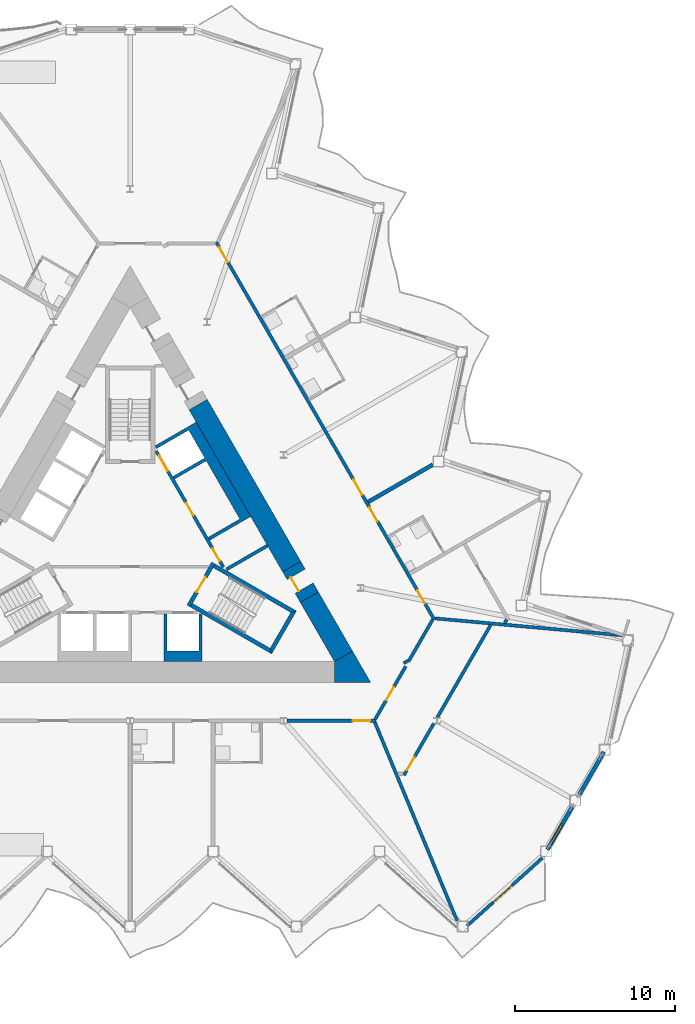
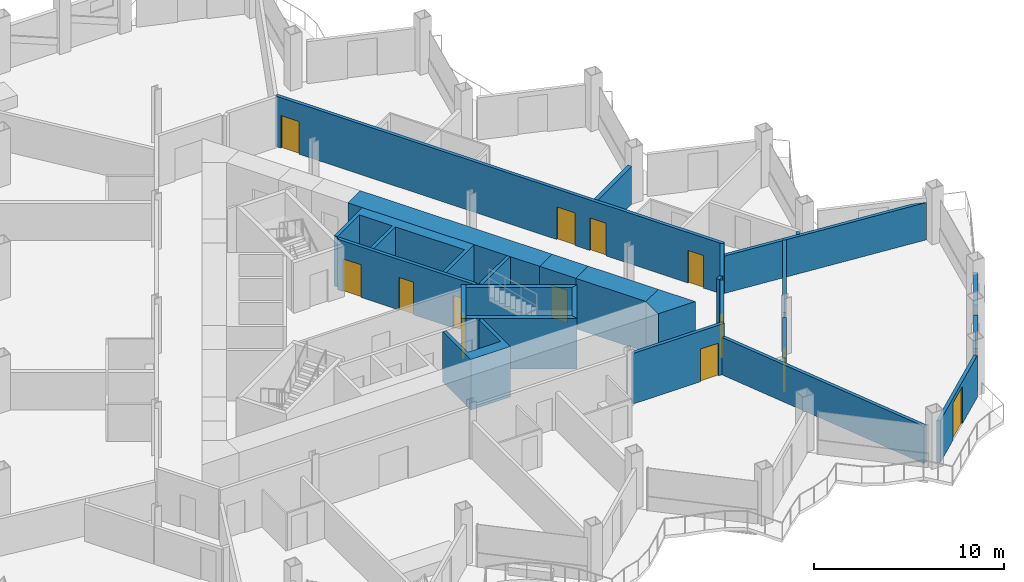
# One storey, part 13 of 23: 26 walls, 13 doors, 1 window, 14 openings.
"""IFC4 building model written with IfcOpenShell, lengths in metres."""

import ifcopenshell
import ifcopenshell.guid

model = None  # the IFC model being written
_history = None  # IfcOwnerHistory: only IFC2X3 demands one
_inside = {}  # id of a spatial element -> (the spatial element, [elements in it])
_under = {}  # id of a project, library or spatial element -> (it, [spatial elements below it])
_declared = {}  # id of a project -> (the project, [libraries it declares])
_typed = {}  # id of a type object -> (the type object, [elements of that type])
_made_of = {}  # id of a material, layer set ... -> (it, [elements and type objects made of it])


def new_model(schema):
    """Start an empty IFC model of exactly this schema.

    Asked for "IFC4X3", IfcOpenShell would pick the latest addendum, in which some entities
    have other attributes; the version numbers below select the first issue.
    IFC2X3 requires an IfcOwnerHistory on every rooted entity: one is made here for all.
    """
    global model, _history
    if schema == "IFC4X3":
        model = ifcopenshell.file(schema_version=(4, 3, 0, 0))
    else:
        model = ifcopenshell.file(schema=schema)
    _inside.clear()
    _under.clear()
    _declared.clear()
    _typed.clear()
    _made_of.clear()
    _history = None
    if model.schema == "IFC2X3":
        org = make("IfcOrganization", Name="unknown")
        user = make(
            "IfcPersonAndOrganization",
            ThePerson=make("IfcPerson", FamilyName="unknown"),
            TheOrganization=org,
        )
        app = make(
            "IfcApplication",
            ApplicationDeveloper=org,
            Version="unknown",
            ApplicationFullName="unknown",
            ApplicationIdentifier="unknown",
        )
        _history = make(
            "IfcOwnerHistory",
            OwningUser=user,
            OwningApplication=app,
            ChangeAction="ADDED",
            CreationDate=0,
        )
    return model


def make(cls, **values):
    """One entity of the class cls with the attributes given. An attribute that is None is left unset."""
    return model.create_entity(
        cls, **{name: value for name, value in values.items() if value is not None}
    )


def rooted(cls, **values):
    """An entity with a GlobalId (a new one), such as an element, a storey or a relation."""
    return make(cls, GlobalId=ifcopenshell.guid.new(), OwnerHistory=_history, **values)


def si_unit(unit_type, name, prefix=None):
    """IfcSIUnit, for example si_unit("LENGTHUNIT", "METRE", prefix="MILLI")."""
    return make("IfcSIUnit", UnitType=unit_type, Prefix=prefix, Name=name)


def assignment(units):
    """IfcUnitAssignment: the units of a project."""
    return None if units is None else make("IfcUnitAssignment", Units=units)


def point(xyz):
    """IfcCartesianPoint."""
    return None if xyz is None else make("IfcCartesianPoint", Coordinates=xyz)


def direction(xyz):
    """IfcDirection."""
    return None if xyz is None else make("IfcDirection", DirectionRatios=xyz)


def frame(location, z_axis=None, x_axis=None):
    """IfcAxis2Placement3D, a coordinate frame: its origin and axes. An axis left out is left unset."""
    return make(
        "IfcAxis2Placement3D",
        Location=point(location),
        Axis=direction(z_axis),
        RefDirection=direction(x_axis),
    )


def frame_2d(location, x_axis=None):
    """IfcAxis2Placement2D, a coordinate frame in the plane: its origin and x axis."""
    return make(
        "IfcAxis2Placement2D", Location=point(location), RefDirection=direction(x_axis)
    )


def origin():
    """The frame at (0, 0, 0) with its axes left unset."""
    return frame((0.0, 0.0, 0.0))


def place(relative_to, where):
    """IfcLocalPlacement: puts the frame where relative to a parent placement (None: the world)."""
    return make(
        "IfcLocalPlacement", PlacementRelTo=relative_to, RelativePlacement=where
    )


def context(
    kind, dimensions, precision=None, world=None, true_north=None, identifier=None
):
    """IfcGeometricRepresentationContext, for example the 3D "Model" context."""
    return make(
        "IfcGeometricRepresentationContext",
        ContextIdentifier=identifier,
        ContextType=kind,
        CoordinateSpaceDimension=dimensions,
        Precision=precision,
        WorldCoordinateSystem=world,
        TrueNorth=true_north,
    )


def subcontext(parent, identifier, kind, view, scale=None):
    """IfcGeometricRepresentationSubContext, for example "Body" below "Model"."""
    return make(
        "IfcGeometricRepresentationSubContext",
        ContextIdentifier=identifier,
        ContextType=kind,
        ParentContext=parent,
        TargetScale=scale,
        TargetView=view,
    )


def project(units=None, contexts=None):
    """IfcProject with its units and contexts."""
    return rooted(
        "IfcProject",
        Name="project",
        RepresentationContexts=contexts,
        UnitsInContext=assignment(units),
    )


def spatial(cls, under=None, at=None, **own):
    """A site, building, storey or space (cls), placed at a placement, below another one or the project."""
    s = rooted(cls, ObjectPlacement=at, **own)
    if under is not None:
        _under.setdefault(under.id(), (under, []))[1].append(s)
    return s


def polyline(points):
    """IfcPolyline through the points."""
    return make("IfcPolyline", Points=[point(p) for p in points])


def profile(cls, at=None, kind="AREA", **sizes):
    """A parametric profile (cls). Its sizes go by their IFC names, for example OverallWidth=200.0."""
    return make(cls, ProfileType=kind, Position=at, **sizes)


def rectangle(**sizes):
    """IfcRectangleProfileDef."""
    return profile("IfcRectangleProfileDef", **sizes)


def outline(outer, holes=None, kind="AREA"):
    """IfcArbitraryClosedProfileDef: a profile drawn as a closed curve; with holes, ...WithVoids."""
    if holes is None:
        return make("IfcArbitraryClosedProfileDef", ProfileType=kind, OuterCurve=outer)
    return make(
        "IfcArbitraryProfileDefWithVoids",
        ProfileType=kind,
        OuterCurve=outer,
        InnerCurves=holes,
    )


def extrude(swept, where, along, depth):
    """IfcExtrudedAreaSolid: the profile swept, set in the frame where, extruded along a direction by depth."""
    return make(
        "IfcExtrudedAreaSolid",
        SweptArea=swept,
        Position=where,
        ExtrudedDirection=direction(along),
        Depth=depth,
    )


def shape(context_of_items, identifier, shape_type, items):
    """IfcShapeRepresentation: the items that make up one representation, for example the "Body"."""
    return make(
        "IfcShapeRepresentation",
        ContextOfItems=context_of_items,
        RepresentationIdentifier=identifier,
        RepresentationType=shape_type,
        Items=items,
    )


def material(Name=None, Category=None):
    """IfcMaterial."""
    return make("IfcMaterial", Name=Name, Category=Category)


def layer(
    of_material, thickness, ventilated=None, Name=None, Category=None, Priority=None
):
    """IfcMaterialLayer: one layer of a wall or slab, of a material (None: an air gap)."""
    return make(
        "IfcMaterialLayer",
        Material=of_material,
        LayerThickness=thickness,
        IsVentilated=ventilated,
        Name=Name,
        Category=Category,
        Priority=Priority,
    )


def layer_set(layers, Name=None):
    """IfcMaterialLayerSet."""
    return make("IfcMaterialLayerSet", MaterialLayers=layers, LayerSetName=Name)


def made_of(thing, what):
    """Note that an element or type object is made of a material, layer set ...; save() writes the relation."""
    if what is not None:
        _made_of.setdefault(what.id(), (what, []))[1].append(thing)
    return thing


def type_object(cls, material=None, **own):
    """A type object (cls), such as IfcWallType, which elements share."""
    return made_of(rooted(cls, **own), material)


def element(
    cls,
    number,
    at=None,
    inside=None,
    cuts=None,
    type_object=None,
    material=None,
    context=None,
    identifier="Body",
    shape_type=None,
    held_by="IfcProductDefinitionShape",
    body=None,
    shapes=None,
    **own,
):
    """One element of the class cls, such as IfcWall. Its Tag is "e" and its number.

    at: its placement. inside: the storey or other place that contains it. cuts: it is an
    opening in that element (IfcRelVoidsElement). A single representation is given by context,
    identifier, shape_type and body (its items); several are given by shapes. held_by: the class
    of the entity that holds the representations. save() writes the other relations.
    """
    e = rooted(cls, Tag="e%d" % number, ObjectPlacement=at, **own)
    if body is not None:
        shapes = [shape(context, identifier, shape_type, body)]
    if shapes is not None:
        e.Representation = make(held_by, Representations=shapes)
    if inside is not None:
        _inside.setdefault(inside.id(), (inside, []))[1].append(e)
    if cuts is not None:
        rooted(
            "IfcRelVoidsElement", RelatingBuildingElement=cuts, RelatedOpeningElement=e
        )
    if type_object is not None:
        _typed.setdefault(type_object.id(), (type_object, []))[1].append(e)
    return made_of(e, material)


def fill(opening, filler):
    """IfcRelFillsElement: the door or window that sits in an opening."""
    return rooted(
        "IfcRelFillsElement",
        RelatingOpeningElement=opening,
        RelatedBuildingElement=filler,
    )


def aggregate(whole, parts):
    """IfcRelAggregates: a whole, such as a stair, and the parts it consists of."""
    return rooted("IfcRelAggregates", RelatingObject=whole, RelatedObjects=parts)


def save(model, path):
    """Write the relations noted so far, then the file.

    IfcRelAggregates (storeys below a building ...), IfcRelContainedInSpatialStructure (elements
    in a storey), IfcRelDefinesByType, IfcRelAssociatesMaterial and IfcRelDeclares: one each for
    every whole, place, type object, material and project.
    """
    for whole, parts in _under.values():
        aggregate(whole, parts)
    for where, things in _inside.values():
        rooted(
            "IfcRelContainedInSpatialStructure",
            RelatedElements=things,
            RelatingStructure=where,
        )
    for kind, things in _typed.values():
        rooted("IfcRelDefinesByType", RelatedObjects=things, RelatingType=kind)
    for what, things in _made_of.values():
        rooted("IfcRelAssociatesMaterial", RelatedObjects=things, RelatingMaterial=what)
    for by, libraries in _declared.values():
        rooted("IfcRelDeclares", RelatingContext=by, RelatedDefinitions=libraries)
    model.write(path)


model = new_model("IFC4")

# Units and contexts
model_context = context("Model", 3, precision=1e-05, world=origin(), true_north=direction((0.0, 1.0)))
body_context = subcontext(model_context, "Body", "Model", "MODEL_VIEW")
ifc_project = project(units=[si_unit("LENGTHUNIT", "METRE"), si_unit("AREAUNIT", "SQUARE_METRE"), si_unit("VOLUMEUNIT", "CUBIC_METRE"), si_unit("PLANEANGLEUNIT", "RADIAN"), si_unit("MASSUNIT", "GRAM", prefix="KILO")], contexts=[model_context])

# Site, building, storey
site_placement = place(None, origin())
site = spatial("IfcSite", under=ifc_project, at=site_placement, CompositionType="ELEMENT")
building_placement = place(site_placement, origin())
building = spatial("IfcBuilding", under=site, at=building_placement, Name="Cormorant Prow Tower", CompositionType="ELEMENT")
storey_placement = place(building_placement, frame((0.0, 0.0, 252.60009765625)))
storey = spatial("IfcBuildingStorey", under=building, at=storey_placement, Name="L56", CompositionType="ELEMENT", Elevation=252.60009765625)

# Walls
ifc_material_1 = material(Name="Concrete 8000 psi", Category="concrete")
ifc_layer_1 = layer(ifc_material_1, 1.300048828125)
ifc_layer_set_1 = layer_set([ifc_layer_1], Name="Concrete 8000 psi")
wall_type_1 = type_object("IfcWallType", Name="Core shear wall 1300", PredefinedType="SHEAR", material=ifc_layer_set_1)
wall_1_placement = place(storey_placement, frame((10.081298828125, -1.440673828125, 0.0), z_axis=(0.0, 0.0, 1.0), x_axis=(-0.500006109471, 0.866021876451, 0.0)))
element("IfcWall", 1, at=wall_1_placement, inside=storey, type_object=wall_type_1, Name="Core wall", PredefinedType="SHEAR", context=body_context, shape_type="SweptSolid", body=[
    extrude(rectangle(XDim=11.672119140625, YDim=1.300048828125, at=frame_2d((5.8359375, 0.0))), origin(), (0.0, 0.0, 1.0), 3.25),
])
wall_2_placement = place(storey_placement, frame((13.311279296875, -7.035400390625, 0.0), z_axis=(0.0, 0.0, 1.0), x_axis=(-0.500003555838, 0.866023350811, 0.0)))
element("IfcWall", 2, at=wall_2_placement, inside=storey, type_object=wall_type_1, Name="Core wall", PredefinedType="SHEAR", context=body_context, shape_type="SweptSolid", body=[
    extrude(rectangle(XDim=4.26025390625, YDim=1.300048828125, at=frame_2d((2.130126953125, 0.0))), origin(), (0.0, 0.0, 1.0), 3.25),
])
wall_3_placement = place(storey_placement, origin())
element("IfcWall", 3, at=wall_3_placement, inside=storey, type_object=wall_type_1, Name="Core wall corner", PredefinedType="SHEAR", context=body_context, shape_type="SweptSolid", body=[
    extrude(outline(polyline([(12.748291015625, -8.660400390625), (12.748291015625, -7.3603515625), (13.874267578125, -6.710205078125), (15.0, -8.660400390625), (12.748291015625, -8.660400390625)])), origin(), (0.0, 0.0, 1.0), 3.25),
])

# Wall, opening, door
wall_4_placement = place(storey_placement, frame((11.18115234375, -3.345947265625, 0.0), z_axis=(0.0, 0.0, 1.0), x_axis=(-0.499946605688, 0.86605622881, 0.0)))
wall_4 = element("IfcWall", 4, at=wall_4_placement, inside=storey, type_object=wall_type_1, Name="Core wall door panel", PredefinedType="SHEAR", context=body_context, shape_type="SweptSolid", body=[
    extrude(rectangle(XDim=2.199951171875, YDim=1.300048828125, at=frame_2d((1.10009765625, 0.0))), origin(), (0.0, 0.0, 1.0), 3.25),
])
opening_1_placement = place(wall_4_placement, frame((0.64990234375, 0.0, 0.0)))
opening_1 = element("IfcOpeningElement", 5, at=opening_1_placement, cuts=wall_4, Name="Opening L56-C15", PredefinedType="OPENING", context=body_context, shape_type="SweptSolid", body=[
    extrude(rectangle(XDim=1.0, YDim=2.10009765625, at=frame_2d((0.5, 1.050048828125))), frame((0.0, 0.659912109375, 0.0), z_axis=(0.0, -1.0, 0.0), x_axis=(1.0, 0.0, 0.0)), (0.0, 0.0, 1.0), 1.320068359375),
])
ifc_material_2 = material(Name="Painted steel", Category="steel")
door_type_1 = type_object("IfcDoorType", Name="Service door 1000x2100", OperationType="NOTDEFINED", PredefinedType="DOOR", material=ifc_material_2)
door_1_placement = place(opening_1_placement, origin())
door_1 = element("IfcDoor", 6, at=door_1_placement, inside=storey, type_object=door_type_1, Name="Core door, Telecom room", OperationType="SINGLE_SWING_LEFT", OverallHeight=2.10009765625, OverallWidth=1.0, PredefinedType="DOOR", context=body_context, shape_type="SweptSolid", body=[
    extrude(rectangle(XDim=1.0, YDim=2.10009765625, at=frame_2d((0.5, 1.050048828125))), frame((0.0, 0.40478515625, 0.0), z_axis=(0.0, -1.0, 0.0), x_axis=(1.0, 0.0, 0.0)), (0.0, 0.0, 1.0), 0.050048828125),
])
fill(opening_1, door_1)

# Wall, openings, doors
ifc_material_3 = material(Name="Gypsum board corridor wall")
ifc_layer_2 = layer(ifc_material_3, 0.199951171875)
ifc_layer_set_2 = layer_set([ifc_layer_2], Name="Gypsum board corridor wall")
wall_type_2 = type_object("IfcWallType", Name="Corridor wall 200", PredefinedType="PARTITIONING", material=ifc_layer_set_2)
wall_5_placement = place(storey_placement, frame((5.377197265625, 18.80712890625, 0.0), z_axis=(0.0, 0.0, 1.0), x_axis=(0.499999852422, -0.866025488988, 0.0)))
wall_5 = element("IfcWall", 7, at=wall_5_placement, inside=storey, type_object=wall_type_2, Name="Corridor wall", PredefinedType="PARTITIONING", context=body_context, shape_type="SweptSolid", body=[
    extrude(rectangle(XDim=27.19775390625, YDim=0.199951171875, at=frame_2d((13.598876953125, 0.0))), origin(), (0.0, 0.0, 1.0), 3.25),
])
opening_2_placement = place(wall_5_placement, frame((25.09619140625, 0.0, 0.0)))
opening_2 = element("IfcOpeningElement", 8, at=opening_2_placement, cuts=wall_5, Name="Opening L56-F10", PredefinedType="OPENING", context=body_context, shape_type="SweptSolid", body=[
    extrude(rectangle(XDim=0.949951171875, YDim=2.10009765625, at=frame_2d((0.47509765625, 1.050048828125))), frame((0.0, 0.10986328125, 0.0), z_axis=(0.0, -1.0, 0.0), x_axis=(1.0, 0.0, 0.0)), (0.0, 0.0, 1.0), 0.219970703125),
])
opening_3_placement = place(wall_5_placement, frame((19.121826171875, 0.0, 0.0)))
opening_3 = element("IfcOpeningElement", 9, at=opening_3_placement, cuts=wall_5, Name="Opening L56-F12", PredefinedType="OPENING", context=body_context, shape_type="SweptSolid", body=[
    extrude(rectangle(XDim=1.0, YDim=2.10009765625, at=frame_2d((0.5, 1.050048828125))), frame((0.0, 0.10986328125, 0.0), z_axis=(0.0, -1.0, 0.0), x_axis=(1.0, 0.0, 0.0)), (0.0, 0.0, 1.0), 0.219970703125),
])
opening_4_placement = place(wall_5_placement, frame((17.114501953125, 0.0, 0.0)))
opening_4 = element("IfcOpeningElement", 10, at=opening_4_placement, cuts=wall_5, Name="Opening L56-F14", PredefinedType="OPENING", context=body_context, shape_type="SweptSolid", body=[
    extrude(rectangle(XDim=1.10009765625, YDim=2.10009765625, at=frame_2d((0.550048828125, 1.050048828125))), frame((0.0, 0.10986328125, 0.0), z_axis=(0.0, -1.0, 0.0), x_axis=(1.0, 0.0, 0.0)), (0.0, 0.0, 1.0), 0.219970703125),
])
opening_5_placement = place(wall_5_placement, frame((0.350341796875, 0.0, 0.0)))
opening_5 = element("IfcOpeningElement", 11, at=opening_5_placement, cuts=wall_5, Name="Opening L56-F16", PredefinedType="OPENING", context=body_context, shape_type="SweptSolid", body=[
    extrude(rectangle(XDim=1.10009765625, YDim=2.10009765625, at=frame_2d((0.550048828125, 1.050048828125))), frame((0.0, 0.10986328125, 0.0), z_axis=(0.0, -1.0, 0.0), x_axis=(1.0, 0.0, 0.0)), (0.0, 0.0, 1.0), 0.219970703125),
])
ifc_material_4 = material(Name="Timber door leaf", Category="wood")
door_type_2 = type_object("IfcDoorType", Name="Flat or room entrance door 1000x2100", OperationType="NOTDEFINED", PredefinedType="DOOR", material=ifc_material_4)
door_2_placement = place(opening_3_placement, origin())
door_2 = element("IfcDoor", 12, at=door_2_placement, inside=storey, type_object=door_type_2, Name="Guest room door", OperationType="SINGLE_SWING_LEFT", OverallHeight=2.10009765625, OverallWidth=1.0, PredefinedType="DOOR", context=body_context, shape_type="SweptSolid", body=[
    extrude(rectangle(XDim=1.0, YDim=2.10009765625, at=frame_2d((0.5, 1.050048828125))), frame((0.0, 0.02490234375, 0.0), z_axis=(0.0, -1.0, 0.0), x_axis=(1.0, 0.0, 0.0)), (0.0, 0.0, 1.0), 0.050048828125),
])
fill(opening_3, door_2)
ifc_material_5 = material(Name="Timber door leaf", Category="wood")
door_type_3 = type_object("IfcDoorType", Name="Store door 950x2100", OperationType="NOTDEFINED", PredefinedType="DOOR", material=ifc_material_5)
door_3_placement = place(opening_2_placement, origin())
door_3 = element("IfcDoor", 13, at=door_3_placement, inside=storey, type_object=door_type_3, Name="Service store door", OperationType="SINGLE_SWING_RIGHT", OverallHeight=2.10009765625, OverallWidth=0.949951171875, PredefinedType="DOOR", context=body_context, shape_type="SweptSolid", body=[
    extrude(rectangle(XDim=0.949951171875, YDim=2.10009765625, at=frame_2d((0.47509765625, 1.050048828125))), frame((0.0, 0.02490234375, 0.0), z_axis=(0.0, -1.0, 0.0), x_axis=(1.0, 0.0, 0.0)), (0.0, 0.0, 1.0), 0.050048828125),
])
fill(opening_2, door_3)
ifc_material_6 = material(Name="Timber door leaf", Category="wood")
door_type_4 = type_object("IfcDoorType", Name="Suite entrance door 1100x2100", OperationType="NOTDEFINED", PredefinedType="DOOR", material=ifc_material_6)
door_4_placement = place(opening_4_placement, origin())
door_4 = element("IfcDoor", 14, at=door_4_placement, inside=storey, type_object=door_type_4, Name="Junior suite door", OperationType="SINGLE_SWING_RIGHT", OverallHeight=2.10009765625, OverallWidth=1.10009765625, PredefinedType="DOOR", context=body_context, shape_type="SweptSolid", body=[
    extrude(rectangle(XDim=1.10009765625, YDim=2.10009765625, at=frame_2d((0.550048828125, 1.050048828125))), frame((0.0, 0.02490234375, 0.0), z_axis=(0.0, -1.0, 0.0), x_axis=(1.0, 0.0, 0.0)), (0.0, 0.0, 1.0), 0.050048828125),
])
fill(opening_4, door_4)
door_5_placement = place(opening_5_placement, origin())
door_5 = element("IfcDoor", 15, at=door_5_placement, inside=storey, type_object=door_type_4, Name="Executive suite bedroom door", OperationType="SINGLE_SWING_LEFT", OverallHeight=2.10009765625, OverallWidth=1.10009765625, PredefinedType="DOOR", context=body_context, shape_type="SweptSolid", body=[
    extrude(rectangle(XDim=1.10009765625, YDim=2.10009765625, at=frame_2d((0.550048828125, 1.050048828125))), frame((0.0, 0.02490234375, 0.0), z_axis=(0.0, -1.0, 0.0), x_axis=(1.0, 0.0, 0.0)), (0.0, 0.0, 1.0), 0.050048828125),
])
fill(opening_5, door_5)

# Wall, opening, door
wall_6_placement = place(storey_placement, frame((9.7880859375, -11.060302734375, 0.0), z_axis=(0.0, 0.0, 1.0), x_axis=(1.0, 0.0, 0.0)))
wall_6 = element("IfcWall", 16, at=wall_6_placement, inside=storey, type_object=wall_type_2, Name="Corridor wall", PredefinedType="PARTITIONING", context=body_context, shape_type="SweptSolid", body=[
    extrude(rectangle(XDim=5.542724609375, YDim=0.199951171875, at=frame_2d((2.771484375, 0.0))), origin(), (0.0, 0.0, 1.0), 3.25),
])
opening_6_placement = place(wall_6_placement, frame((4.091796875, 0.0, 0.0)))
opening_6 = element("IfcOpeningElement", 17, at=opening_6_placement, cuts=wall_6, Name="Opening L56-F06", PredefinedType="OPENING", context=body_context, shape_type="SweptSolid", body=[
    extrude(rectangle(XDim=1.10009765625, YDim=2.10009765625, at=frame_2d((0.550048828125, 1.050048828125))), frame((0.0, 0.10986328125, 0.0), z_axis=(0.0, -1.0, 0.0), x_axis=(1.0, 0.0, 0.0)), (0.0, 0.0, 1.0), 0.219970703125),
])
door_6_placement = place(opening_6_placement, origin())
door_6 = element("IfcDoor", 18, at=door_6_placement, inside=storey, type_object=door_type_4, Name="Executive suite bedroom door", OperationType="SINGLE_SWING_RIGHT", OverallHeight=2.10009765625, OverallWidth=1.10009765625, PredefinedType="DOOR", context=body_context, shape_type="SweptSolid", body=[
    extrude(rectangle(XDim=1.10009765625, YDim=2.10009765625, at=frame_2d((0.550048828125, 1.050048828125))), frame((0.0, 0.02490234375, 0.0), z_axis=(0.0, -1.0, 0.0), x_axis=(1.0, 0.0, 0.0)), (0.0, 0.0, 1.0), 0.050048828125),
])
fill(opening_6, door_6)

wall_7_placement = place(storey_placement, frame((15.281005859375, -10.9736328125, 0.0), z_axis=(0.0, 0.0, 1.0), x_axis=(0.499989446428, 0.866031496806, 0.0)))
wall_7 = element("IfcWall", 19, at=wall_7_placement, inside=storey, type_object=wall_type_2, Name="Corridor wall", PredefinedType="PARTITIONING", context=body_context, shape_type="SweptSolid", body=[
    extrude(rectangle(XDim=3.82568359375, YDim=0.199951171875, at=frame_2d((1.912841796875, 0.0))), origin(), (0.0, 0.0, 1.0), 3.25),
])
opening_7_placement = place(wall_7_placement, frame((1.38623046875, 0.0, 0.0)))
opening_7 = element("IfcOpeningElement", 20, at=opening_7_placement, cuts=wall_7, Name="Opening L56-F08", PredefinedType="OPENING", context=body_context, shape_type="SweptSolid", body=[
    extrude(rectangle(XDim=0.949951171875, YDim=2.10009765625, at=frame_2d((0.47509765625, 1.050048828125))), frame((0.0, 0.10986328125, 0.0), z_axis=(0.0, -1.0, 0.0), x_axis=(1.0, 0.0, 0.0)), (0.0, 0.0, 1.0), 0.219970703125),
])
door_7_placement = place(opening_7_placement, origin())
door_7 = element("IfcDoor", 21, at=door_7_placement, inside=storey, type_object=door_type_3, Name="Housekeeping room door", OperationType="SINGLE_SWING_RIGHT", OverallHeight=2.10009765625, OverallWidth=0.949951171875, PredefinedType="DOOR", context=body_context, shape_type="SweptSolid", body=[
    extrude(rectangle(XDim=0.949951171875, YDim=2.10009765625, at=frame_2d((0.47509765625, 1.050048828125))), frame((0.0, 0.02490234375, 0.0), z_axis=(0.0, -1.0, 0.0), x_axis=(1.0, 0.0, 0.0)), (0.0, 0.0, 1.0), 0.050048828125),
])
fill(opening_7, door_7)

# Walls
wall_8_placement = place(storey_placement, frame((17.375, -7.346923828125, 0.0), z_axis=(0.0, 0.0, 1.0), x_axis=(0.499952404951, 0.866052881055, 0.0)))
element("IfcWall", 22, at=wall_8_placement, inside=storey, type_object=wall_type_2, Name="Corridor wall", PredefinedType="PARTITIONING", context=body_context, shape_type="SweptSolid", body=[
    extrude(rectangle(XDim=3.002197265625, YDim=0.199951171875, at=frame_2d((1.5009765625, 0.0))), origin(), (0.0, 0.0, 1.0), 3.25),
])
wall_9_placement = place(storey_placement, frame((17.06982421875, -7.46533203125, 0.0), z_axis=(0.0, 0.0, 1.0), x_axis=(0.866054481515, 0.499949632511, 0.0)))
element("IfcWall", 23, at=wall_9_placement, inside=storey, type_object=wall_type_2, Name="Corridor wall", PredefinedType="PARTITIONING", context=body_context, shape_type="SweptSolid", body=[
    extrude(rectangle(XDim=0.31005859375, YDim=0.199951171875, at=frame_2d((0.155029296875, 0.0))), origin(), (0.0, 0.0, 1.0), 3.25),
])
ifc_material_7 = material(Name="Gypsum board demising wall")
ifc_layer_3 = layer(ifc_material_7, 0.199951171875)
ifc_layer_set_3 = layer_set([ifc_layer_3], Name="Gypsum board demising wall")
wall_type_3 = type_object("IfcWallType", Name="Demising wall 200", PredefinedType="PARTITIONING", material=ifc_layer_set_3)
wall_10_placement = place(storey_placement, frame((15.26904296875, -11.152587890625, 0.0), z_axis=(0.0, 0.0, 1.0), x_axis=(0.382692998932, -0.923875569851, 0.0)))
element("IfcWall", 24, at=wall_10_placement, inside=storey, type_object=wall_type_3, Name="Demising wall", PredefinedType="PARTITIONING", context=body_context, shape_type="SweptSolid", body=[
    extrude(rectangle(XDim=13.39697265625, YDim=0.199951171875, at=frame_2d((6.698486328125, 0.0))), origin(), (0.0, 0.0, 1.0), 2.404052734375),
])
wall_11_placement = place(storey_placement, origin())
element("IfcWall", 25, at=wall_11_placement, inside=storey, type_object=wall_type_3, Name="Demising wall", PredefinedType="PARTITIONING", context=body_context, shape_type="SweptSolid", body=[
    extrude(outline(polyline([(30.694091796875, -5.824462890625), (19.0166015625, -4.768798828125), (19.034423828125, -4.569580078125), (29.918212890625, -5.553466796875), (30.69580078125, -5.80615234375), (30.694091796875, -5.824462890625)])), origin(), (0.0, 0.0, 1.0), 2.404052734375),
])
wall_12_placement = place(storey_placement, frame((19.162353515625, -10.850830078125, 0.0), z_axis=(0.0, 0.0, 1.0), x_axis=(0.500008654708, 0.866020406929, 0.0)))
element("IfcWall", 26, at=wall_12_placement, inside=storey, type_object=wall_type_3, Name="Demising wall", PredefinedType="PARTITIONING", context=body_context, shape_type="SweptSolid", body=[
    extrude(rectangle(XDim=6.67041015625, YDim=0.199951171875, at=frame_2d((3.335205078125, 0.0))), origin(), (0.0, 0.0, 1.0), 2.404052734375),
])

# Wall, opening, door
wall_13_placement = place(storey_placement, frame((17.086181640625, -14.447021484375, 0.0), z_axis=(0.0, 0.0, 1.0), x_axis=(0.500004411858, 0.866022856582, 0.0)))
wall_13 = element("IfcWall", 27, at=wall_13_placement, inside=storey, type_object=wall_type_3, Name="Demising wall", PredefinedType="PARTITIONING", context=body_context, shape_type="SweptSolid", body=[
    extrude(rectangle(XDim=3.72265625, YDim=0.199951171875, at=frame_2d((1.861328125, 0.0))), origin(), (0.0, 0.0, 1.0), 2.404052734375),
])
opening_8_placement = place(wall_13_placement, frame((0.353271484375, 0.0, 0.0)))
opening_8 = element("IfcOpeningElement", 28, at=opening_8_placement, cuts=wall_13, Name="Opening L56-F09", PredefinedType="OPENING", context=body_context, shape_type="SweptSolid", body=[
    extrude(rectangle(XDim=0.949951171875, YDim=2.10009765625, at=frame_2d((0.47509765625, 1.050048828125))), frame((0.0, 0.10986328125, 0.0), z_axis=(0.0, -1.0, 0.0), x_axis=(1.0, 0.0, 0.0)), (0.0, 0.0, 1.0), 0.219970703125),
])
door_8_placement = place(opening_8_placement, origin())
door_8 = element("IfcDoor", 29, at=door_8_placement, inside=storey, type_object=door_type_3, Name="Linen store door", OperationType="SINGLE_SWING_LEFT", OverallHeight=2.10009765625, OverallWidth=0.949951171875, PredefinedType="DOOR", context=body_context, shape_type="SweptSolid", body=[
    extrude(rectangle(XDim=0.949951171875, YDim=2.10009765625, at=frame_2d((0.47509765625, 1.050048828125))), frame((0.0, 0.02490234375, 0.0), z_axis=(0.0, -1.0, 0.0), x_axis=(1.0, 0.0, 0.0)), (0.0, 0.0, 1.0), 0.050048828125),
])
fill(opening_8, door_8)

# Wall
wall_14_placement = place(storey_placement, frame((23.36572265625, -4.970458984375, 0.0), z_axis=(0.0, 0.0, 1.0), x_axis=(0.500104332946, 0.86596515875, 0.0)))
element("IfcWall", 30, at=wall_14_placement, inside=storey, type_object=wall_type_3, Name="Demising wall", PredefinedType="PARTITIONING", context=body_context, shape_type="SweptSolid", body=[
    extrude(rectangle(XDim=0.25830078125, YDim=0.199951171875, at=frame_2d((0.129150390625, 0.0))), origin(), (0.0, 0.0, 1.0), 2.404052734375),
])

# Wall, openings, doors
ifc_material_8 = material(Name="Concrete 5000 psi", Category="concrete")
ifc_layer_4 = layer(ifc_material_8, 0.199951171875)
ifc_layer_set_4 = layer_set([ifc_layer_4], Name="Concrete 5000 psi")
wall_type_4 = type_object("IfcWallType", Name="Lift lobby wall 200", PredefinedType="SOLIDWALL", material=ifc_layer_set_4)
wall_15_placement = place(storey_placement, frame((5.817138671875, -1.4755859375, 0.0), z_axis=(0.0, 0.0, 1.0), x_axis=(-0.500002616675, 0.866023893041, 0.0)))
wall_15 = element("IfcWall", 31, at=wall_15_placement, inside=storey, type_object=wall_type_4, Name="Lift lobby wall, ENE block", PredefinedType="SOLIDWALL", context=body_context, shape_type="SweptSolid", body=[
    extrude(rectangle(XDim=8.373046875, YDim=0.199951171875, at=frame_2d((4.1865234375, 0.0))), origin(), (0.0, 0.0, 1.0), 3.25),
])
opening_9_placement = place(wall_15_placement, frame((0.4365234375, 0.0, 0.0)))
opening_9 = element("IfcOpeningElement", 32, at=opening_9_placement, cuts=wall_15, Name="Opening L56-C05", PredefinedType="OPENING", context=body_context, shape_type="SweptSolid", body=[
    extrude(rectangle(XDim=0.89990234375, YDim=2.10009765625, at=frame_2d((0.449951171875, 1.050048828125))), frame((0.0, 0.10986328125, 0.0), z_axis=(0.0, -1.0, 0.0), x_axis=(1.0, 0.0, 0.0)), (0.0, 0.0, 1.0), 0.219970703125),
])
opening_10_placement = place(wall_15_placement, frame((3.736572265625, 0.0, 0.0)))
opening_10 = element("IfcOpeningElement", 33, at=opening_10_placement, cuts=wall_15, Name="Opening L56-C06", PredefinedType="OPENING", context=body_context, shape_type="SweptSolid", body=[
    extrude(rectangle(XDim=0.89990234375, YDim=2.10009765625, at=frame_2d((0.449951171875, 1.050048828125))), frame((0.0, 0.10986328125, 0.0), z_axis=(0.0, -1.0, 0.0), x_axis=(1.0, 0.0, 0.0)), (0.0, 0.0, 1.0), 0.219970703125),
])
opening_11_placement = place(wall_15_placement, frame((6.9365234375, 0.0, 0.0)))
opening_11 = element("IfcOpeningElement", 34, at=opening_11_placement, cuts=wall_15, Name="Opening L56-C07", PredefinedType="OPENING", context=body_context, shape_type="SweptSolid", body=[
    extrude(rectangle(XDim=1.10009765625, YDim=2.10009765625, at=frame_2d((0.550048828125, 1.050048828125))), frame((0.0, 0.10986328125, 0.0), z_axis=(0.0, -1.0, 0.0), x_axis=(1.0, 0.0, 0.0)), (0.0, 0.0, 1.0), 0.219970703125),
])
ifc_material_9 = material(Name="Painted steel", Category="steel")
door_type_5 = type_object("IfcDoorType", Name="Lift landing door 1100x2100", OperationType="SLIDING_TO_LEFT", PredefinedType="DOOR", material=ifc_material_9)
door_9_placement = place(opening_11_placement, origin())
door_9 = element("IfcDoor", 35, at=door_9_placement, inside=storey, type_object=door_type_5, Name="Landing door MR1", OperationType="SLIDING_TO_LEFT", OverallHeight=2.10009765625, OverallWidth=1.10009765625, PredefinedType="DOOR", context=body_context, shape_type="SweptSolid", body=[
    extrude(rectangle(XDim=1.10009765625, YDim=2.10009765625, at=frame_2d((0.550048828125, 1.050048828125))), frame((0.0, 0.02490234375, 0.0), z_axis=(0.0, -1.0, 0.0), x_axis=(1.0, 0.0, 0.0)), (0.0, 0.0, 1.0), 0.050048828125),
])
fill(opening_11, door_9)
ifc_material_10 = material(Name="Painted steel", Category="steel")
door_type_6 = type_object("IfcDoorType", Name="Service door 900x2100", OperationType="NOTDEFINED", PredefinedType="DOOR", material=ifc_material_10)
door_10_placement = place(opening_9_placement, origin())
door_10 = element("IfcDoor", 36, at=door_10_placement, inside=storey, type_object=door_type_6, Name="Service door, Pantry store", OperationType="SINGLE_SWING_LEFT", OverallHeight=2.10009765625, OverallWidth=0.89990234375, PredefinedType="DOOR", context=body_context, shape_type="SweptSolid", body=[
    extrude(rectangle(XDim=0.89990234375, YDim=2.10009765625, at=frame_2d((0.449951171875, 1.050048828125))), frame((0.0, 0.02490234375, 0.0), z_axis=(0.0, -1.0, 0.0), x_axis=(1.0, 0.0, 0.0)), (0.0, 0.0, 1.0), 0.050048828125),
])
fill(opening_9, door_10)
door_11_placement = place(opening_10_placement, origin())
door_11 = element("IfcDoor", 37, at=door_11_placement, inside=storey, type_object=door_type_6, Name="Service door, Telecom room", OperationType="SINGLE_SWING_LEFT", OverallHeight=2.10009765625, OverallWidth=0.89990234375, PredefinedType="DOOR", context=body_context, shape_type="SweptSolid", body=[
    extrude(rectangle(XDim=0.89990234375, YDim=2.10009765625, at=frame_2d((0.449951171875, 1.050048828125))), frame((0.0, 0.02490234375, 0.0), z_axis=(0.0, -1.0, 0.0), x_axis=(1.0, 0.0, 0.0)), (0.0, 0.0, 1.0), 0.050048828125),
])
fill(opening_10, door_11)

# Walls
ifc_material_11 = material(Name="Concrete 8000 psi", Category="concrete")
ifc_layer_5 = layer(ifc_material_11, 0.199951171875)
ifc_layer_set_5 = layer_set([ifc_layer_5], Name="Concrete 8000 psi")
wall_type_5 = type_object("IfcWallType", Name="Lift shaft wall 200", PredefinedType="SHEAR", material=ifc_layer_set_5)
wall_16_placement = place(storey_placement, origin())
element("IfcWall", 38, at=wall_16_placement, inside=storey, type_object=wall_type_5, Name="Lift shaft walls, S block", PredefinedType="SHEAR", context=body_context, shape_type="SweptSolid", body=[
    extrude(outline(polyline([(2.10009765625, -7.3603515625), (2.10009765625, -4.39990234375), (2.300048828125, -4.39990234375), (2.300048828125, -6.699951171875), (4.300048828125, -6.699951171875), (4.300048828125, -4.39990234375), (4.5, -4.39990234375), (4.5, -7.3603515625), (2.10009765625, -7.3603515625)])), origin(), (0.0, 0.0, 1.0), 3.25),
])
wall_17_placement = place(storey_placement, origin())
element("IfcWall", 39, at=wall_17_placement, inside=storey, type_object=wall_type_5, Name="Lift shaft walls, ENE block", PredefinedType="SHEAR", context=body_context, shape_type="SweptSolid", body=[
    extrude(outline(polyline([(8.524169921875, -0.043701171875), (8.624267578125, -0.217041015625), (8.230712890625, -0.444091796875), (6.060546875, -1.697021484375), (5.96044921875, -1.52392578125), (8.130859375, -0.27099609375), (8.524169921875, -0.043701171875)])), origin(), (0.0, 0.0, 1.0), 3.25),
])
wall_18_placement = place(storey_placement, origin())
element("IfcWall", 40, at=wall_18_placement, inside=storey, type_object=wall_type_5, Name="Lift shaft walls, ENE block", PredefinedType="SHEAR", context=body_context, shape_type="SweptSolid", body=[
    extrude(outline(polyline([(7.524169921875, 1.688232421875), (7.130859375, 1.461181640625), (4.96044921875, 0.2080078125), (4.860595703125, 0.38134765625), (6.852294921875, 1.53125), (4.75244140625, 5.168701171875), (2.760498046875, 4.018798828125), (2.660400390625, 4.19189453125), (4.65234375, 5.341796875), (3.65234375, 7.073974609375), (1.660400390625, 5.923828125), (1.560546875, 6.09716796875), (3.730712890625, 7.35009765625), (4.124267578125, 7.5771484375), (7.524169921875, 1.688232421875)])), origin(), (0.0, 0.0, 1.0), 3.25),
])
ifc_material_12 = material(Name="Concrete 8000 psi", Category="concrete")
ifc_layer_6 = layer(ifc_material_12, 0.25)
ifc_layer_set_6 = layer_set([ifc_layer_6], Name="Concrete 8000 psi")
wall_type_6 = type_object("IfcWallType", Name="Stair wall 250", PredefinedType="SHEAR", material=ifc_layer_set_6)
wall_19_placement = place(storey_placement, origin())
element("IfcWall", 41, at=wall_19_placement, inside=storey, type_object=wall_type_6, Name="Stair ST2 enclosure wall (flank)", PredefinedType="SHEAR", context=body_context, shape_type="SweptSolid", body=[
    extrude(outline(polyline([(3.76318359375, -3.95556640625), (8.82958984375, -6.880615234375), (8.738037109375, -6.5390625), (3.88818359375, -3.739013671875), (3.76318359375, -3.95556640625)])), origin(), (0.0, 0.0, 1.0), 3.25),
])
wall_20_placement = place(storey_placement, origin())
element("IfcWall", 42, at=wall_20_placement, inside=storey, type_object=wall_type_6, Name="Stair ST2 enclosure wall (end)", PredefinedType="SHEAR", context=body_context, shape_type="SweptSolid", body=[
    extrude(outline(polyline([(8.82958984375, -6.880615234375), (10.37353515625, -4.206298828125), (10.031982421875, -4.2978515625), (8.738037109375, -6.5390625), (8.82958984375, -6.880615234375)])), origin(), (0.0, 0.0, 1.0), 3.25),
])
wall_21_placement = place(storey_placement, origin())
element("IfcWall", 43, at=wall_21_placement, inside=storey, type_object=wall_type_6, Name="Stair ST2 enclosure wall (flank)", PredefinedType="SHEAR", context=body_context, shape_type="SweptSolid", body=[
    extrude(outline(polyline([(10.031982421875, -4.2978515625), (10.37353515625, -4.206298828125), (5.30712890625, -1.28125), (5.18212890625, -1.497802734375), (10.031982421875, -4.2978515625)])), origin(), (0.0, 0.0, 1.0), 3.25),
])

# Wall, opening, door
wall_22_placement = place(storey_placement, frame((3.655029296875, -3.89306640625, 0.0), z_axis=(0.0, 0.0, 1.0), x_axis=(0.499982516597, 0.866035497597, 0.0)))
wall_22 = element("IfcWall", 44, at=wall_22_placement, inside=storey, type_object=wall_type_6, Name="Stair ST2 door wall", PredefinedType="SHEAR", context=body_context, shape_type="SweptSolid", body=[
    extrude(rectangle(XDim=3.087890625, YDim=0.25, at=frame_2d((1.5439453125, 0.0))), origin(), (0.0, 0.0, 1.0), 3.25),
])
opening_12_placement = place(wall_22_placement, frame((0.993896484375, 0.0, 0.0)))
opening_12 = element("IfcOpeningElement", 45, at=opening_12_placement, cuts=wall_22, Name="Opening L56-C12", PredefinedType="OPENING", context=body_context, shape_type="SweptSolid", body=[
    extrude(rectangle(XDim=1.10009765625, YDim=2.10009765625, at=frame_2d((0.550048828125, 1.050048828125))), frame((0.0, 0.135009765625, 0.0), z_axis=(0.0, -1.0, 0.0), x_axis=(1.0, 0.0, 0.0)), (0.0, 0.0, 1.0), 0.27001953125),
])
ifc_material_13 = material(Name="Painted steel", Category="steel")
door_type_7 = type_object("IfcDoorType", Name="Stair door 1100x2100", OperationType="NOTDEFINED", PredefinedType="DOOR", material=ifc_material_13)
door_12_placement = place(opening_12_placement, origin())
door_12 = element("IfcDoor", 46, at=door_12_placement, inside=storey, type_object=door_type_7, Name="Stair ST2 door", OperationType="SINGLE_SWING_RIGHT", OverallHeight=2.10009765625, OverallWidth=1.10009765625, PredefinedType="DOOR", context=body_context, shape_type="SweptSolid", body=[
    extrude(rectangle(XDim=1.10009765625, YDim=2.10009765625, at=frame_2d((0.550048828125, 1.050048828125))), frame((0.0, 0.02490234375, 0.0), z_axis=(0.0, -1.0, 0.0), x_axis=(1.0, 0.0, 0.0)), (0.0, 0.0, 1.0), 0.050048828125),
])
fill(opening_12, door_12)

# Wall
ifc_material_14 = material(Name="Acoustic gypsum party wall")
ifc_layer_7 = layer(ifc_material_14, 0.25)
ifc_layer_set_7 = layer_set([ifc_layer_7], Name="Acoustic gypsum party wall")
wall_type_7 = type_object("IfcWallType", Name="Suite party wall 250", PredefinedType="PARTITIONING", material=ifc_layer_set_7)
wall_23_placement = place(storey_placement, frame((14.852783203125, 2.594482421875, 0.0), z_axis=(0.0, 0.0, 1.0), x_axis=(0.866021891294, 0.500006083763, 0.0)))
element("IfcWall", 47, at=wall_23_placement, inside=storey, type_object=wall_type_7, Name="Suite party wall", PredefinedType="PARTITIONING", context=body_context, shape_type="SweptSolid", body=[
    extrude(rectangle(XDim=4.64453125, YDim=0.25, at=frame_2d((2.322265625, 0.0))), origin(), (0.0, 0.0, 1.0), 2.404052734375),
])

# Wall, opening, window
ifc_material_15 = material(Name="Terracotta", Category="masonry")
ifc_layer_8 = layer(ifc_material_15, 0.25)
ifc_layer_set_8 = layer_set([ifc_layer_8], Name="Terracotta")
wall_type_8 = type_object("IfcWallType", Name="Terracotta bay wall 250", PredefinedType="SOLIDWALL", material=ifc_layer_set_8)
wall_24_placement = place(storey_placement, frame((26.039794921875, -19.09716796875, 0.0), z_axis=(0.0, 0.0, 1.0), x_axis=(0.499976998774, 0.866038683141, 0.0)))
wall_24 = element("IfcWall", 48, at=wall_24_placement, inside=storey, type_object=wall_type_8, Name="Terracotta bay wall ESE00", PredefinedType="SOLIDWALL", context=body_context, shape_type="SweptSolid", body=[
    extrude(rectangle(XDim=3.072021484375, YDim=0.25, at=frame_2d((1.5361328125, 0.0))), origin(), (0.0, 0.0, 1.0), 2.70068359375),
])
opening_13_placement = place(wall_24_placement, frame((0.449951171875, 0.0, 1.800048828125)))
opening_13 = element("IfcOpeningElement", 49, at=opening_13_placement, cuts=wall_24, Name="Opening WN4", PredefinedType="OPENING", context=body_context, shape_type="SweptSolid", body=[
    extrude(rectangle(XDim=1.39990234375, YDim=0.699951171875, at=frame_2d((0.699951171875, 0.35009765625))), frame((0.0, 0.135009765625, 0.0), z_axis=(0.0, -1.0, 0.0), x_axis=(1.0, 0.0, 0.0)), (0.0, 0.0, 1.0), 0.27001953125),
])
ifc_material_16 = material(Name="Aluminium 6063-T6", Category="aluminium")
window_type = type_object("IfcWindowType", Name="Corner bay window 1400x700", PartitioningType="SINGLE_PANEL", PredefinedType="WINDOW", material=ifc_material_16)
window_placement = place(opening_13_placement, origin())
window = element("IfcWindow", 50, at=window_placement, inside=storey, type_object=window_type, Name="Corner bay window ESE00", OverallHeight=0.699951171875, OverallWidth=1.39990234375, PartitioningType="SINGLE_PANEL", PredefinedType="WINDOW", context=body_context, shape_type="SweptSolid", body=[
    extrude(rectangle(XDim=1.39990234375, YDim=0.699951171875, at=frame_2d((0.699951171875, 0.35009765625))), frame((0.0, 0.030029296875, 0.0), z_axis=(0.0, -1.0, 0.0), x_axis=(1.0, 0.0, 0.0)), (0.0, 0.0, 1.0), 0.06005859375),
])
fill(opening_13, window)

# Wall
wall_25_placement = place(storey_placement, frame((28.03759765625, -15.63671875, 0.0), z_axis=(0.0, 0.0, 1.0), x_axis=(0.500023511883, 0.866011828767, 0.0)))
element("IfcWall", 51, at=wall_25_placement, inside=storey, type_object=wall_type_8, Name="Terracotta bay wall ESE01", PredefinedType="SOLIDWALL", context=body_context, shape_type="SweptSolid", body=[
    extrude(rectangle(XDim=3.041748046875, YDim=0.25, at=frame_2d((1.52099609375, 0.0))), origin(), (0.0, 0.0, 1.0), 2.70068359375),
])

# Wall, opening, door
ifc_material_17 = material(Name="Terracotta", Category="masonry")
ifc_layer_9 = layer(ifc_material_17, 0.199951171875)
ifc_layer_set_9 = layer_set([ifc_layer_9], Name="Terracotta")
wall_type_9 = type_object("IfcWallType", Name="Terracotta jamb wall 200", PredefinedType="SOLIDWALL", material=ifc_layer_set_9)
wall_26_placement = place(storey_placement, frame((21.0234375, -23.84765625, 0.0), z_axis=(0.0, 0.0, 1.0), x_axis=(0.74314024121, 0.669135697668, 0.0)))
wall_26 = element("IfcWall", 52, at=wall_26_placement, inside=storey, type_object=wall_type_9, Name="Terracotta jamb wall S09", PredefinedType="SOLIDWALL", context=body_context, shape_type="SweptSolid", body=[
    extrude(rectangle(XDim=6.31103515625, YDim=0.199951171875, at=frame_2d((3.155517578125, 0.0))), origin(), (0.0, 0.0, 1.0), 2.70068359375),
])
opening_14_placement = place(wall_26_placement, frame((2.183837890625, 0.0, 0.0)))
opening_14 = element("IfcOpeningElement", 53, at=opening_14_placement, cuts=wall_26, Name="Opening ED56.05", PredefinedType="OPENING", context=body_context, shape_type="SweptSolid", body=[
    extrude(rectangle(XDim=1.60009765625, YDim=2.39990234375, at=frame_2d((0.800048828125, 1.199951171875))), frame((0.0, 0.10986328125, 0.0), z_axis=(0.0, -1.0, 0.0), x_axis=(1.0, 0.0, 0.0)), (0.0, 0.0, 1.0), 0.219970703125),
])
ifc_material_18 = material(Name="Aluminium 6063-T6", Category="aluminium")
door_type_8 = type_object("IfcDoorType", Name="Balcony door 1600x2400", OperationType="DOUBLE_DOOR_SINGLE_SWING", PredefinedType="DOOR", material=ifc_material_18)
door_13_placement = place(opening_14_placement, origin())
door_13 = element("IfcDoor", 54, at=door_13_placement, inside=storey, type_object=door_type_8, Name="Balcony door S09 ED56.05", OperationType="DOUBLE_DOOR_SINGLE_SWING", OverallHeight=2.39990234375, OverallWidth=1.60009765625, PredefinedType="DOOR", context=body_context, shape_type="SweptSolid", body=[
    extrude(rectangle(XDim=1.60009765625, YDim=2.39990234375, at=frame_2d((0.800048828125, 1.199951171875))), frame((0.0, 0.02490234375, 0.0), z_axis=(0.0, -1.0, 0.0), x_axis=(1.0, 0.0, 0.0)), (0.0, 0.0, 1.0), 0.050048828125),
])
fill(opening_14, door_13)

save(model, "model.ifc")
